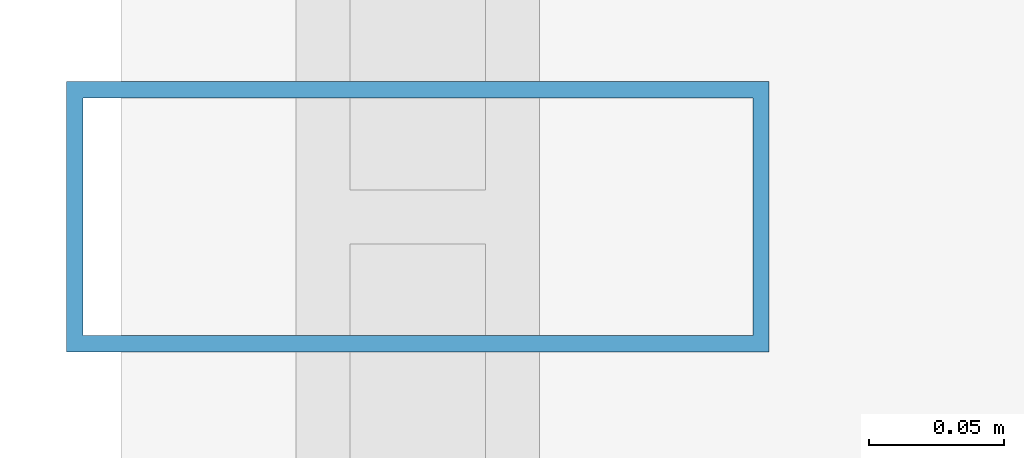
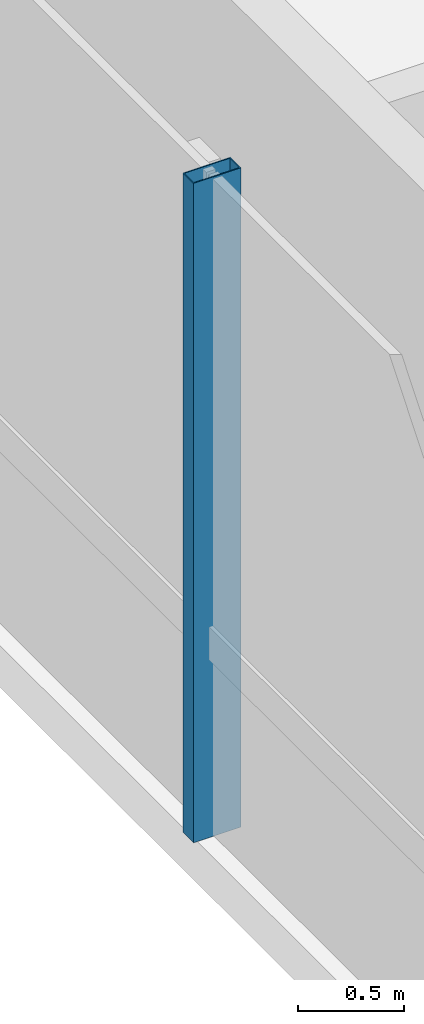
# One storey, part 3 of 11: 1 member, 1 element without a shape of its own.
"""IFC4 building model written with IfcOpenShell, lengths in metres."""

from ifc_helpers import new_model, si_unit, direction, frame, origin, origin_2d, place, context, subcontext, project, spatial, hollow_rectangle, extrude, source, transform, mapped, material, material_profile, profile_set, type_object, element, aggregate, save


model = new_model("IFC4")

# Units and contexts
model_context = context("Model", 3, precision=1e-05, world=origin(), true_north=direction((0.0, 1.0)))
body_context = subcontext(model_context, "Body", "Model", "MODEL_VIEW")
ifc_project = project(units=[si_unit("LENGTHUNIT", "METRE"), si_unit("AREAUNIT", "SQUARE_METRE"), si_unit("VOLUMEUNIT", "CUBIC_METRE"), si_unit("PLANEANGLEUNIT", "RADIAN"), si_unit("MASSUNIT", "GRAM", prefix="KILO")], contexts=[model_context])

# Site, building, storey
site_placement = place(None, origin())
site = spatial("IfcSite", under=ifc_project, at=site_placement, CompositionType="ELEMENT")
building_placement = place(site_placement, origin())
building = spatial("IfcBuilding", under=site, at=building_placement, Name="Valdorenza Pilgrim Sanctuary Tower", CompositionType="ELEMENT")
storey_placement = place(building_placement, frame((0.0, 0.0, 303.60009765625)))
storey = spatial("IfcBuildingStorey", under=building, at=storey_placement, Name="L79", CompositionType="ELEMENT", Elevation=303.60009765625)

# Curtain wall, member
ifc_material_1 = material(Name="Curtain-wall IGU glazing", Category="glass")
curtain_wall_type = type_object("IfcCurtainWallType", Name="CW-SYS-06", PredefinedType="NOTDEFINED", material=ifc_material_1)
curtain_wall_placement = place(storey_placement, origin())
curtain_wall = element("IfcCurtainWall", 1, at=curtain_wall_placement, inside=storey, type_object=curtain_wall_type, Name="L79 Curtain Wall CW-L79-1-1", PredefinedType="NOTDEFINED")
ifc_material_2 = material(Name="Anodised aluminium AW-6060", Category="aluminium")
ifc_material_profile = material_profile(ifc_material_2, hollow_rectangle(XDim=0.10009765625, YDim=0.260009765625, WallThickness=0.006103515625, at=origin_2d()), Name="ALU-M 260x100x6")
ifc_profile_set = profile_set([ifc_material_profile], Name="Anodised aluminium AW-6060")
member_type = type_object("IfcMemberType", Name="CW-MUL-06", PredefinedType="MULLION", material=ifc_profile_set)
shared_shape = source(origin(), body_context, "Body", "SweptSolid", [
    extrude(hollow_rectangle(XDim=0.10009765625, YDim=0.260009765625, WallThickness=0.006103515625, at=origin_2d()), origin(), (0.0, 0.0, 1.0), 3.7998046875),
])
member_placement = place(storey_placement, frame((-30.5400390625, 1.35009765625, 0.0), z_axis=(0.0, 0.0, 1.0), x_axis=(0.0, 1.0, 0.0)))
member = element("IfcMember", 2, at=member_placement, type_object=member_type, Name="CW-L79-1-1 Mullion 3", PredefinedType="MULLION", context=body_context, shape_type="MappedRepresentation", body=[
    mapped(shared_shape, transform((0.0, 0.0, 0.0), x_axis=(1.0, 0.0, 0.0), y_axis=(0.0, 1.0, 0.0), z_axis=(0.0, 0.0, 1.0), scale=1.0)),
])
aggregate(curtain_wall, [member])

save(model, "model.ifc")
